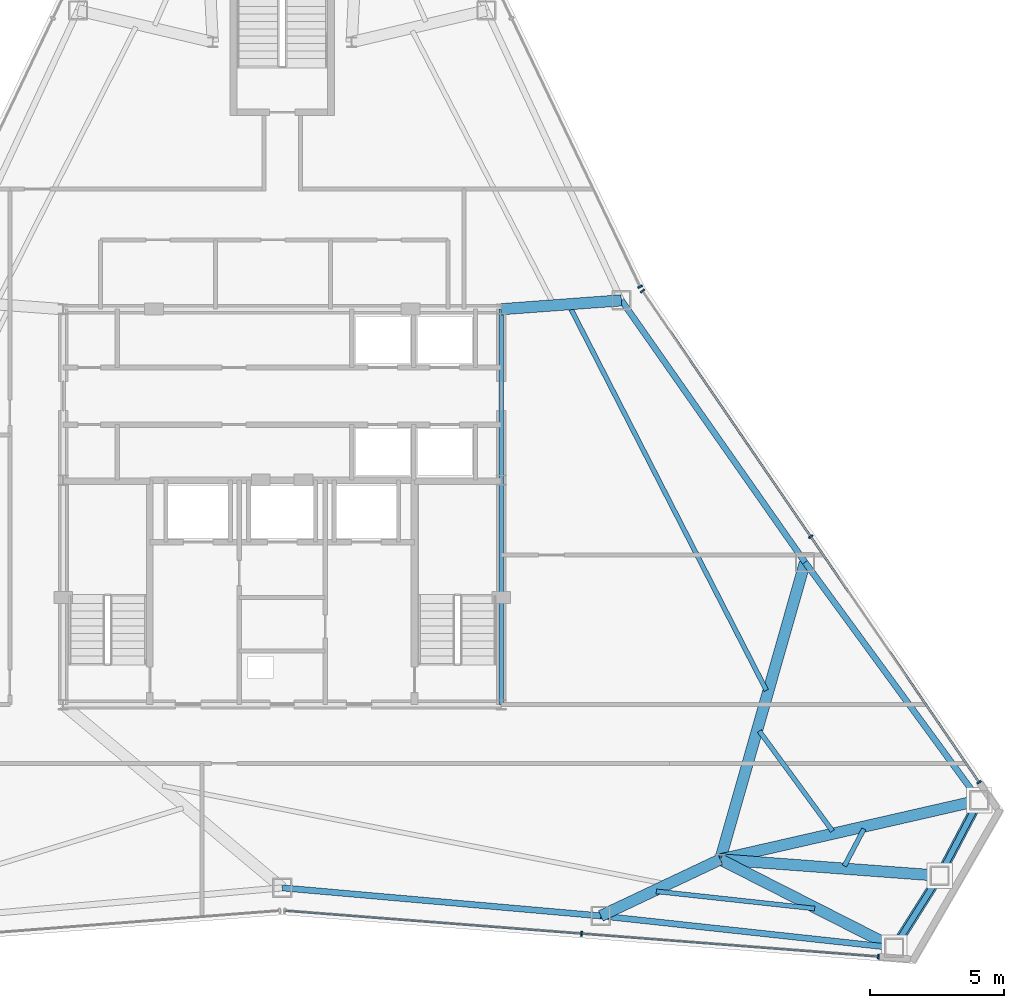
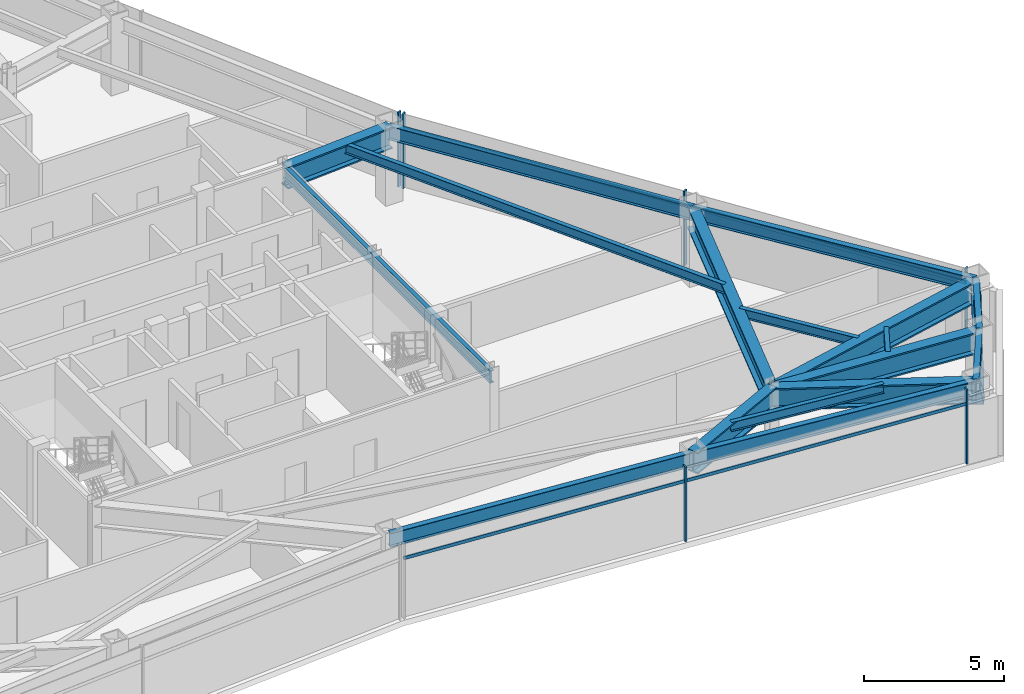
# One storey, part 6 of 11: 17 beams, 10 members, 3 elements without a shape of their own.
"""IFC4 building model written with IfcOpenShell, lengths in metres."""

from ifc_helpers import new_model, si_unit, direction, frame, origin, origin_2d, place, context, subcontext, project, spatial, rectangle, hollow_rectangle, i_section, extrude, source, transform, mapped, material, layer, layer_set, material_profile, profile_set, type_object, type_shapes, element, aggregate, save


model = new_model("IFC4")

# Units and contexts
model_context = context("Model", 3, precision=1e-05, world=origin(), true_north=direction((0.0, 1.0)))
body_context = subcontext(model_context, "Body", "Model", "MODEL_VIEW")
ifc_project = project(units=[si_unit("LENGTHUNIT", "METRE"), si_unit("AREAUNIT", "SQUARE_METRE"), si_unit("VOLUMEUNIT", "CUBIC_METRE"), si_unit("PLANEANGLEUNIT", "RADIAN"), si_unit("MASSUNIT", "GRAM", prefix="KILO")], contexts=[model_context])

# Site, building, storey
site_placement = place(None, origin())
site = spatial("IfcSite", under=ifc_project, at=site_placement, CompositionType="ELEMENT")
building_placement = place(site_placement, origin())
building = spatial("IfcBuilding", under=site, at=building_placement, Name="Varakhsha Concourse Tower", CompositionType="ELEMENT")
storey_placement = place(building_placement, frame((0.0, 0.0, 215.39990234375)))
storey = spatial("IfcBuildingStorey", under=building, at=storey_placement, Name="L61", CompositionType="ELEMENT", Elevation=215.39990234375)

# Beams
ifc_material_1 = material(Name="Structural Steel ASTM A992 Grade 50", Category="steel")
ifc_material_profile_1 = material_profile(ifc_material_1, i_section(OverallWidth=0.177978515625, OverallDepth=0.406982421875, WebThickness=0.008056640625, FlangeThickness=0.012939453125, at=origin_2d()), Name="W16X40")
ifc_profile_set_1 = profile_set([ifc_material_profile_1], Name="Structural Steel ASTM A992 Grade 50")
beam_type_1 = type_object("IfcBeamType", Name="BM-JST-W16X40", PredefinedType="JOIST", material=ifc_profile_set_1)
beam_1_placement = place(storey_placement, frame((54.005615234375, 9.404541015625, 3.046630859375), z_axis=(0.994153254107, -0.107978272576, 0.0), x_axis=(0.107978272576, 0.994153254107, 0.0)))
element("IfcBeam", 1, at=beam_1_placement, inside=storey, type_object=beam_type_1, Name="BM-TJST-L61-12", PredefinedType="JOIST", context=body_context, shape_type="SweptSolid", body=[
    extrude(i_section(OverallWidth=0.177978515625, OverallDepth=0.406982421875, WebThickness=0.008056640625, FlangeThickness=0.012939453125, at=origin_2d()), origin(), (0.0, 0.0, 1.0), 5.964599609375),
])
beam_2_placement = place(storey_placement, frame((61.049072265625, 10.3564453125, 3.046630859375), z_axis=(0.465392975907, 0.885104162219, 0.0), x_axis=(-0.885104162219, 0.465392975907, 0.0)))
element("IfcBeam", 2, at=beam_2_placement, inside=storey, type_object=beam_type_1, Name="BM-TJST-L61-14", PredefinedType="JOIST", context=body_context, shape_type="SweptSolid", body=[
    extrude(i_section(OverallWidth=0.177978515625, OverallDepth=0.406982421875, WebThickness=0.008056640625, FlangeThickness=0.012939453125, at=origin_2d()), origin(), (0.0, 0.0, 1.0), 1.56591796875),
])
beam_3_placement = place(storey_placement, frame((60.600830078125, 11.662841796875, 3.046630859375), z_axis=(-0.590553463379, 0.80699851728, 0.0), x_axis=(-0.80699851728, -0.590553463379, 0.0)))
element("IfcBeam", 3, at=beam_3_placement, inside=storey, type_object=beam_type_1, Name="BM-TJST-L61-15", PredefinedType="JOIST", context=body_context, shape_type="SweptSolid", body=[
    extrude(i_section(OverallWidth=0.177978515625, OverallDepth=0.406982421875, WebThickness=0.008056640625, FlangeThickness=0.012939453125, at=origin_2d()), origin(), (0.0, 0.0, 1.0), 4.639404296875),
])
beam_4_placement = place(storey_placement, frame((58.126708984375, 16.928466796875, 3.046630859375), z_axis=(-0.455992519423, 0.889983607844, 0.0), x_axis=(-0.889983607844, -0.455992519423, 0.0)))
element("IfcBeam", 4, at=beam_4_placement, inside=storey, type_object=beam_type_1, Name="BM-TJST-L61-16", PredefinedType="JOIST", context=body_context, shape_type="SweptSolid", body=[
    extrude(i_section(OverallWidth=0.177978515625, OverallDepth=0.406982421875, WebThickness=0.008056640625, FlangeThickness=0.012939453125, at=origin_2d()), origin(), (0.0, 0.0, 1.0), 16.134521484375),
])
ifc_material_profile_2 = material_profile(ifc_material_1, i_section(OverallWidth=0.423095703125, OverallDepth=0.947998046875, WebThickness=0.0380859375, FlangeThickness=0.06396484375, at=origin_2d()), Name="W36X302")
ifc_profile_set_2 = profile_set([ifc_material_profile_2], Name="Structural Steel ASTM A992 Grade 50")
beam_type_2 = type_object("IfcBeamType", Name="BM-OUTR-W36X302", PredefinedType="USERDEFINED", material=ifc_profile_set_2)
beam_5_placement = place(storey_placement, frame((56.39990234375, 10.60009765625, 2.776123046875), z_axis=(-0.904054231678, -0.427417765406, 0.0), x_axis=(0.427417765406, -0.904054231678, 0.0)))
element("IfcBeam", 5, at=beam_5_placement, inside=storey, type_object=beam_type_2, Name="L61 Radial Floor Girder 12", ObjectType="GIRDER", PredefinedType="USERDEFINED", context=body_context, shape_type="SweptSolid", body=[
    extrude(i_section(OverallWidth=0.423095703125, OverallDepth=0.947998046875, WebThickness=0.0380859375, FlangeThickness=0.06396484375, at=origin_2d()), origin(), (0.0, 0.0, 1.0), 4.945556640625),
])
beam_6_placement = place(storey_placement, frame((56.39990234375, 10.60009765625, 2.776123046875), z_axis=(0.891573080646, -0.452876850665, 0.0), x_axis=(0.452876850665, 0.891573080646, 0.0)))
element("IfcBeam", 6, at=beam_6_placement, inside=storey, type_object=beam_type_2, Name="L61 Radial Floor Girder 13", ObjectType="GIRDER", PredefinedType="USERDEFINED", context=body_context, shape_type="SweptSolid", body=[
    extrude(i_section(OverallWidth=0.423095703125, OverallDepth=0.947998046875, WebThickness=0.0380859375, FlangeThickness=0.06396484375, at=origin_2d()), origin(), (0.0, 0.0, 1.0), 7.2998046875),
])
beam_7_placement = place(storey_placement, frame((56.39990234375, 10.60009765625, 2.776123046875), z_axis=(0.99726143975, -0.073956884649, 0.0), x_axis=(0.073956884649, 0.99726143975, 0.0)))
element("IfcBeam", 7, at=beam_7_placement, inside=storey, type_object=beam_type_2, Name="L61 Radial Floor Girder 14", ObjectType="GIRDER", PredefinedType="USERDEFINED", context=body_context, shape_type="SweptSolid", body=[
    extrude(i_section(OverallWidth=0.423095703125, OverallDepth=0.947998046875, WebThickness=0.0380859375, FlangeThickness=0.06396484375, at=origin_2d()), origin(), (0.0, 0.0, 1.0), 8.23291015625),
])
beam_8_placement = place(storey_placement, frame((56.39990234375, 10.60009765625, 2.776123046875), z_axis=(0.974910741662, 0.222596149547, 0.0), x_axis=(-0.222596149547, 0.974910741662, 0.0)))
element("IfcBeam", 8, at=beam_8_placement, inside=storey, type_object=beam_type_2, Name="L61 Radial Floor Girder 15", ObjectType="GIRDER", PredefinedType="USERDEFINED", context=body_context, shape_type="SweptSolid", body=[
    extrude(i_section(OverallWidth=0.423095703125, OverallDepth=0.947998046875, WebThickness=0.0380859375, FlangeThickness=0.06396484375, at=origin_2d()), origin(), (0.0, 0.0, 1.0), 9.944580078125),
])
beam_9_placement = place(storey_placement, frame((56.39990234375, 10.60009765625, 2.776123046875), z_axis=(0.274261234585, 0.961655226785, 0.0), x_axis=(-0.961655226785, 0.274261234585, 0.0)))
element("IfcBeam", 9, at=beam_9_placement, inside=storey, type_object=beam_type_2, Name="L61 Radial Floor Girder 16", ObjectType="GIRDER", PredefinedType="USERDEFINED", context=body_context, shape_type="SweptSolid", body=[
    extrude(i_section(OverallWidth=0.423095703125, OverallDepth=0.947998046875, WebThickness=0.0380859375, FlangeThickness=0.06396484375, at=origin_2d()), origin(), (0.0, 0.0, 1.0), 11.569580078125),
])
beam_10_placement = place(storey_placement, frame((48.199951171875, 31.199951171875, 2.776123046875), z_axis=(0.9972917705, 0.073546750386, 0.0), x_axis=(-0.073546750386, 0.9972917705, 0.0)))
element("IfcBeam", 10, at=beam_10_placement, inside=storey, type_object=beam_type_2, Name="L61 Radial Floor Girder 17", ObjectType="GIRDER", PredefinedType="USERDEFINED", context=body_context, shape_type="SweptSolid", body=[
    extrude(i_section(OverallWidth=0.423095703125, OverallDepth=0.947998046875, WebThickness=0.0380859375, FlangeThickness=0.06396484375, at=origin_2d()), origin(), (0.0, 0.0, 1.0), 4.51123046875),
])
ifc_material_profile_3 = material_profile(ifc_material_1, i_section(OverallWidth=0.1669921875, OverallDepth=0.534912109375, WebThickness=0.010009765625, FlangeThickness=0.01708984375, at=origin_2d()), Name="W21X57")
ifc_profile_set_3 = profile_set([ifc_material_profile_3], Name="Structural Steel ASTM A992 Grade 50")
beam_type_3 = type_object("IfcBeamType", Name="BM-RAD-W21X57", PredefinedType="BEAM", material=ifc_profile_set_3)
beam_11_placement = place(storey_placement, frame((48.199951171875, 16.39990234375, 2.982666015625), z_axis=(0.0, 1.0, 0.0), x_axis=(-1.0, 0.0, 0.0)))
element("IfcBeam", 11, at=beam_11_placement, inside=storey, type_object=beam_type_3, Name="BM-TCORE-L61-CE", PredefinedType="BEAM", context=body_context, shape_type="SweptSolid", body=[
    extrude(i_section(OverallWidth=0.1669921875, OverallDepth=0.534912109375, WebThickness=0.010009765625, FlangeThickness=0.01708984375, at=origin_2d()), origin(), (0.0, 0.0, 1.0), 14.800048828125),
])
ifc_material_profile_4 = material_profile(ifc_material_1, i_section(OverallWidth=0.22900390625, OverallDepth=0.612060546875, WebThickness=0.011962890625, FlangeThickness=0.02001953125, at=origin_2d()), Name="W24X84")
ifc_profile_set_4 = profile_set([ifc_material_profile_4], Name="Structural Steel ASTM A992 Grade 50")
beam_type_4 = type_object("IfcBeamType", Name="BM-SPAN-W24X84", PredefinedType="SPANDREL", material=ifc_profile_set_4)
beam_12_placement = place(storey_placement, frame((40.0, 9.53662109375, 2.944091796875), z_axis=(0.996146369773, -0.087706385108, 0.0), x_axis=(0.087706385108, 0.996146369773, 0.0)))
element("IfcBeam", 12, at=beam_12_placement, inside=storey, type_object=beam_type_4, Name="BM-SPAN-L61-11", PredefinedType="SPANDREL", context=body_context, shape_type="SweptSolid", body=[
    extrude(i_section(OverallWidth=0.22900390625, OverallDepth=0.612060546875, WebThickness=0.011962890625, FlangeThickness=0.02001953125, at=origin_2d()), origin(), (0.0, 0.0, 1.0), 11.97509765625),
])
beam_13_placement = place(storey_placement, frame((51.928955078125, 8.486328125, 2.944091796875), z_axis=(0.99415669226, -0.107946612891, 0.0), x_axis=(0.107946612891, 0.99415669226, 0.0)))
element("IfcBeam", 13, at=beam_13_placement, inside=storey, type_object=beam_type_4, Name="BM-SPAN-L61-12", PredefinedType="SPANDREL", context=body_context, shape_type="SweptSolid", body=[
    extrude(i_section(OverallWidth=0.22900390625, OverallDepth=0.612060546875, WebThickness=0.011962890625, FlangeThickness=0.02001953125, at=origin_2d()), origin(), (0.0, 0.0, 1.0), 11.043701171875),
])
for number, where, z_axis, x_axis, name in (
    (14, (62.908203125, 7.294189453125, 2.944091796875), (0.533716468217, 0.845663486, 0.0), (-0.845663486, 0.533716468217, 0.0), "BM-SPAN-L61-13"),
    (15, (64.6103515625, 9.9912109375, 2.944091796875), (0.465522403163, 0.885036096525, 0.0), (-0.885036096525, 0.465522403163, 0.0), "BM-SPAN-L61-14"),
):
    element("IfcBeam", number, at=place(storey_placement, frame(where, z_axis=z_axis, x_axis=x_axis)), inside=storey, type_object=beam_type_4, Name=name, PredefinedType="SPANDREL", context=body_context, shape_type="SweptSolid", body=[
        extrude(i_section(OverallWidth=0.22900390625, OverallDepth=0.612060546875, WebThickness=0.011962890625, FlangeThickness=0.02001953125, at=origin_2d()), origin(), (0.0, 0.0, 1.0), 3.189208984375),
    ])
beam_14_placement = place(storey_placement, frame((66.094970703125, 12.813720703125, 2.944091796875), z_axis=(-0.590553538484, 0.806998462318, 0.0), x_axis=(-0.806998462318, -0.590553538484, 0.0)))
element("IfcBeam", 16, at=beam_14_placement, inside=storey, type_object=beam_type_4, Name="BM-SPAN-L61-15", PredefinedType="SPANDREL", context=body_context, shape_type="SweptSolid", body=[
    extrude(i_section(OverallWidth=0.22900390625, OverallDepth=0.612060546875, WebThickness=0.011962890625, FlangeThickness=0.02001953125, at=origin_2d()), origin(), (0.0, 0.0, 1.0), 11.0439453125),
])
beam_15_placement = place(storey_placement, frame((59.572998046875, 21.72607421875, 2.944091796875), z_axis=(-0.574025939062, 0.818837115233, 0.0), x_axis=(-0.818837115233, -0.574025939062, 0.0)))
element("IfcBeam", 17, at=beam_15_placement, inside=storey, type_object=beam_type_4, Name="BM-SPAN-L61-16", PredefinedType="SPANDREL", context=body_context, shape_type="SweptSolid", body=[
    extrude(i_section(OverallWidth=0.22900390625, OverallDepth=0.612060546875, WebThickness=0.011962890625, FlangeThickness=0.02001953125, at=origin_2d()), origin(), (0.0, 0.0, 1.0), 11.97509765625),
])

# Members
ifc_material_2 = material(Name="Structural Steel ASTM A500 Grade C", Category="steel")
ifc_material_profile_5 = material_profile(ifc_material_2, hollow_rectangle(XDim=0.35009765625, YDim=0.35009765625, WallThickness=0.01611328125, at=origin_2d()), Name="HSS 350x350x16")
ifc_profile_set_5 = profile_set([ifc_material_profile_5], Name="Structural Steel ASTM A500 Grade C")
member_type_1 = type_object("IfcMemberType", Name="MB-TUBE-HSS350", PredefinedType="BRACE", material=ifc_profile_set_5)
shared_shape_1 = source(origin(), body_context, "Body", "SweptSolid", [
    extrude(hollow_rectangle(XDim=0.35009765625, YDim=0.35009765625, WallThickness=0.01611328125, at=origin_2d()), origin(), (0.0, 0.0, 1.0), 4.263916015625),
])
type_shapes(member_type_1, [shared_shape_1])
for number, where, z_axis, x_axis, name in (
    (18, (64.6103515625, 9.9912109375, 0.1201171875), (-0.399202825625, -0.632529204631, 0.66373481851), (0.845663486, -0.533716468217, 0.0), "L61 Wind-Corner Tube Brace B05"),
    (19, (64.6103515625, 9.9912109375, 0.1201171875), (0.348191484068, 0.661970358052, 0.663745384529), (-0.885036096525, 0.465522403163, 0.0), "L61 Wind-Corner Tube Brace B06"),
):
    element("IfcMember", number, at=place(storey_placement, frame(where, z_axis=z_axis, x_axis=x_axis)), inside=storey, type_object=member_type_1, Name=name, PredefinedType="BRACE", context=body_context, shape_type="MappedRepresentation", body=[
        mapped(shared_shape_1, transform((0.0, 0.0, 0.0), scale=1.0)),
    ])

# Curtain wall, members
ifc_material_3 = material(Name="Anodised Bronze Architectural Aluminium AA 6063-T6", Category="aluminium")
ifc_layer = layer(ifc_material_3, 0.199951171875, Name="CW-SYS-05")
ifc_layer_set = layer_set([ifc_layer], Name="Anodised Bronze Architectural Aluminium AA 6063-T6")
curtain_wall_type = type_object("IfcCurtainWallType", Name="CW-SYS-05", PredefinedType="NOTDEFINED", material=ifc_layer_set)
curtain_wall_1_placement = place(storey_placement, origin())
curtain_wall_1 = element("IfcCurtainWall", 20, at=curtain_wall_1_placement, inside=storey, type_object=curtain_wall_type, Name="L61 Crystal Curtain Wall F6", PredefinedType="NOTDEFINED")
ifc_material_profile_6 = material_profile(ifc_material_3, rectangle(XDim=0.06494140625, YDim=0.179931640625, at=origin_2d()), Name="CWM-180X65")
ifc_profile_set_6 = profile_set([ifc_material_profile_6], Name="Anodised Bronze Architectural Aluminium AA 6063-T6")
member_type_2 = type_object("IfcMemberType", Name="CWM-180X65", PredefinedType="MULLION", material=ifc_profile_set_6)
shared_shape_2 = source(origin(), body_context, "Body", "SweptSolid", [
    extrude(rectangle(XDim=0.06494140625, YDim=0.179931640625, at=origin_2d()), origin(), (0.0, 0.0, 1.0), 3.25),
])
type_shapes(member_type_2, [shared_shape_2])
member_1_placement = place(storey_placement, frame((62.319091796875, 6.962158203125, 0.0), z_axis=(0.0, 0.0, 1.0), x_axis=(-0.997034110791, 0.076960911628, 0.0)))
member_1 = element("IfcMember", 21, at=member_1_placement, type_object=member_type_2, Name="CW-L61-F6 Mullion 00", PredefinedType="MULLION", context=body_context, shape_type="MappedRepresentation", body=[
    mapped(shared_shape_2, transform((0.0, 0.0, 0.0), scale=1.0)),
])
member_2_placement = place(storey_placement, frame((51.20556640625, 7.820068359375, 0.0), z_axis=(0.0, 0.0, 1.0), x_axis=(-0.997034110791, 0.076960911628, 0.0)))
member_2 = element("IfcMember", 22, at=member_2_placement, type_object=member_type_2, Name="CW-L61-F6 Mullion 01", PredefinedType="MULLION", context=body_context, shape_type="MappedRepresentation", body=[
    mapped(shared_shape_2, transform((0.0, 0.0, 0.0), scale=1.0)),
])

curtain_wall_2_placement = place(storey_placement, origin())
curtain_wall_2 = element("IfcCurtainWall", 23, at=curtain_wall_2_placement, inside=storey, type_object=curtain_wall_type, Name="L61 Crystal Curtain Wall F8", PredefinedType="NOTDEFINED")
member_3_placement = place(storey_placement, frame((53.488525390625, 31.88134765625, 0.0), z_axis=(0.0, 0.0, 1.0), x_axis=(0.565172919372, -0.82497246694, 0.0)))
member_3 = element("IfcMember", 24, at=member_3_placement, type_object=member_type_2, Name="CW-L61-F8 Mullion 00", PredefinedType="MULLION", context=body_context, shape_type="MappedRepresentation", body=[
    mapped(shared_shape_2, transform((0.0, 0.0, 0.0), scale=1.0)),
])
member_4_placement = place(storey_placement, frame((59.7880859375, 22.685791015625, 0.0), z_axis=(0.0, 0.0, 1.0), x_axis=(0.565172919372, -0.82497246694, 0.0)))
member_4 = element("IfcMember", 25, at=member_4_placement, type_object=member_type_2, Name="CW-L61-F8 Mullion 01", PredefinedType="MULLION", context=body_context, shape_type="MappedRepresentation", body=[
    mapped(shared_shape_2, transform((0.0, 0.0, 0.0), scale=1.0)),
])
member_5_placement = place(storey_placement, frame((66.087890625, 13.490234375, 0.0), z_axis=(0.0, 0.0, 1.0), x_axis=(0.565172919372, -0.82497246694, 0.0)))
member_5 = element("IfcMember", 26, at=member_5_placement, type_object=member_type_2, Name="CW-L61-F8 Mullion 02", PredefinedType="MULLION", context=body_context, shape_type="MappedRepresentation", body=[
    mapped(shared_shape_2, transform((0.0, 0.0, 0.0), scale=1.0)),
])

# Curtain wall, member
curtain_wall_3_placement = place(storey_placement, origin())
curtain_wall_3 = element("IfcCurtainWall", 27, at=curtain_wall_3_placement, inside=storey, type_object=curtain_wall_type, Name="L61 Crystal Curtain Wall F9", PredefinedType="NOTDEFINED")
member_6_placement = place(storey_placement, frame((53.396484375, 32.040771484375, 0.0), z_axis=(0.0, 0.0, 1.0), x_axis=(0.431862228288, -0.901939585437, 0.0)))
member_6 = element("IfcMember", 28, at=member_6_placement, type_object=member_type_2, Name="CW-L61-F9 Mullion 02", PredefinedType="MULLION", context=body_context, shape_type="MappedRepresentation", body=[
    mapped(shared_shape_2, transform((0.0, 0.0, 0.0), scale=1.0)),
])
aggregate(curtain_wall_3, [member_6])

# Member
ifc_material_profile_7 = material_profile(ifc_material_3, rectangle(XDim=0.06005859375, YDim=0.139892578125, at=origin_2d()), Name="CWT-140X60")
ifc_profile_set_7 = profile_set([ifc_material_profile_7], Name="Anodised Bronze Architectural Aluminium AA 6063-T6")
member_type_3 = type_object("IfcMemberType", Name="CWT-140X60", PredefinedType="USERDEFINED", material=ifc_profile_set_7)
shared_shape_3 = source(origin(), body_context, "Body", "SweptSolid", [
    extrude(rectangle(XDim=0.06005859375, YDim=0.139892578125, at=origin_2d()), origin(), (0.0, 0.0, 1.0), 22.29296875),
])
member_7_placement = place(storey_placement, frame((53.488525390625, 31.88134765625, 2.60009765625), z_axis=(0.565171817913, -0.824973221527, 0.0), x_axis=(0.824973221527, 0.565171817913, 0.0)))
member_7 = element("IfcMember", 29, at=member_7_placement, type_object=member_type_3, Name="CW-L61-F8 Transom 01", ObjectType="TRANSOM", PredefinedType="USERDEFINED", context=body_context, shape_type="MappedRepresentation", body=[
    mapped(shared_shape_3, transform((0.0, 0.0, 0.0), scale=1.0)),
])

aggregate(curtain_wall_2, [member_3, member_4, member_5, member_7])

shared_shape_4 = source(origin(), body_context, "Body", "SweptSolid", [
    extrude(rectangle(XDim=0.06005859375, YDim=0.139892578125, at=origin_2d()), origin(), (0.0, 0.0, 1.0), 22.293212890625),
])
type_shapes(member_type_3, [shared_shape_3, shared_shape_4])
member_8_placement = place(storey_placement, frame((62.319091796875, 6.962158203125, 2.60009765625), z_axis=(-0.997033705872, 0.076966157212, 0.0), x_axis=(-0.076966157212, -0.997033705872, 0.0)))
member_8 = element("IfcMember", 30, at=member_8_placement, type_object=member_type_3, Name="CW-L61-F6 Transom 01", ObjectType="TRANSOM", PredefinedType="USERDEFINED", context=body_context, shape_type="MappedRepresentation", body=[
    mapped(shared_shape_4, transform((0.0, 0.0, 0.0), scale=1.0)),
])

aggregate(curtain_wall_1, [member_1, member_2, member_8])

save(model, "model.ifc")
